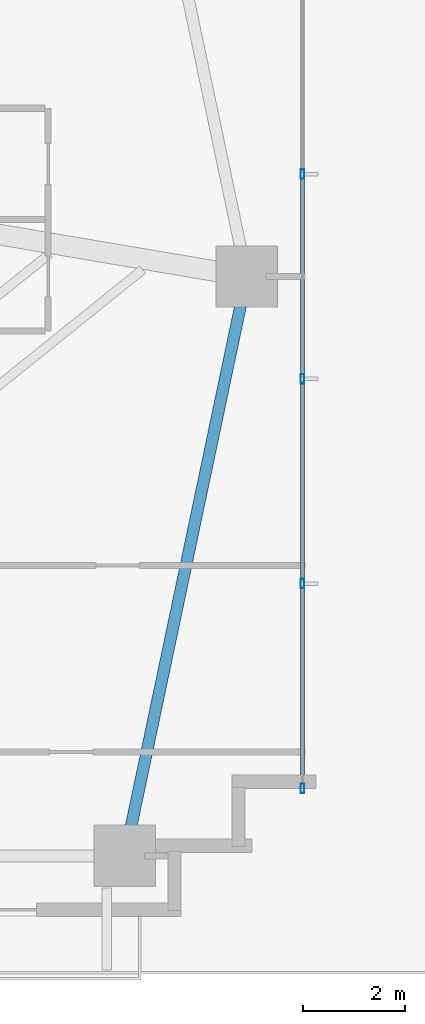
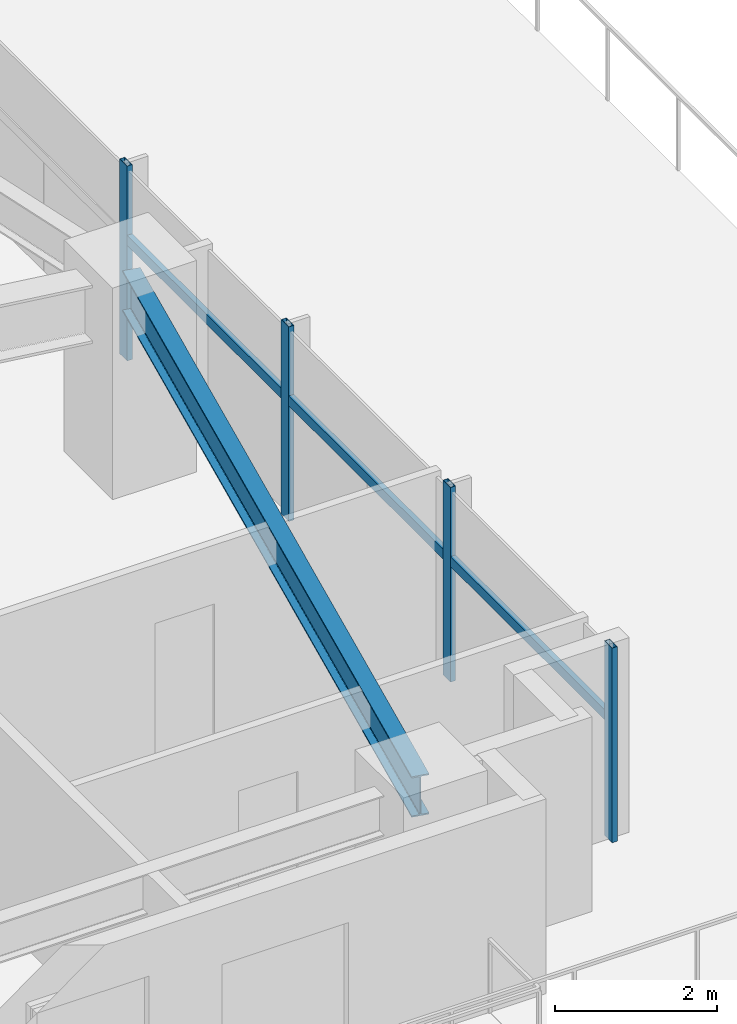
# One storey, part 14 of 26: 7 members, 1 beam, 1 element without a shape of its own.
"""IFC4 building model written with IfcOpenShell, lengths in metres."""

from ifc_helpers import new_model, si_unit, direction, frame, origin, origin_2d, place, context, subcontext, project, spatial, hollow_rectangle, i_section, extrude, source, transform, mapped, material, material_profile, profile_set, type_object, type_shapes, element, aggregate, save


model = new_model("IFC4")

# Units and contexts
model_context = context("Model", 3, precision=1e-05, world=origin(), true_north=direction((0.0, 1.0)))
body_context = subcontext(model_context, "Body", "Model", "MODEL_VIEW")
ifc_project = project(units=[si_unit("LENGTHUNIT", "METRE"), si_unit("AREAUNIT", "SQUARE_METRE"), si_unit("VOLUMEUNIT", "CUBIC_METRE"), si_unit("PLANEANGLEUNIT", "RADIAN"), si_unit("MASSUNIT", "GRAM", prefix="KILO")], contexts=[model_context])

# Site, building, storey
site_placement = place(None, origin())
site = spatial("IfcSite", under=ifc_project, at=site_placement, CompositionType="ELEMENT")
building_placement = place(site_placement, origin())
building = spatial("IfcBuilding", under=site, at=building_placement, Name="Astriad Promenade Condominiums", CompositionType="ELEMENT")
storey_placement = place(building_placement, frame((0.0, 0.0, 23.0)))
storey = spatial("IfcBuildingStorey", under=building, at=storey_placement, Name="L05", CompositionType="ELEMENT", Elevation=23.0)

# Beam
ifc_material_1 = material(Name="Steel ASTM A992 Grade 50", Category="steel")
ifc_material_profile_1 = material_profile(ifc_material_1, i_section(OverallWidth=0.22900390625, OverallDepth=0.612060546875, WebThickness=0.011962890625, FlangeThickness=0.01953125, FilletRadius=0.017822265625, at=origin_2d()), Name="W24X84")
ifc_profile_set_1 = profile_set([ifc_material_profile_1], Name="Steel ASTM A992 Grade 50")
beam_type = type_object("IfcBeamType", Name="STEEL SPANDREL BEAM W24X84", PredefinedType="SPANDREL", material=ifc_profile_set_1)
shared_shape_1 = source(origin(), body_context, "Body", "SweptSolid", [
    extrude(i_section(OverallWidth=0.22900390625, OverallDepth=0.612060546875, WebThickness=0.011962890625, FlangeThickness=0.01953125, FilletRadius=0.017822265625, at=origin_2d()), origin(), (0.0, 0.0, 1.0), 11.487548828125),
])
type_shapes(beam_type, [shared_shape_1])
beam_placement = place(storey_placement, frame((56.208251953125, 3.919189453125, 2.634033203125), z_axis=(0.205748055501, 0.978604995725, 0.0), x_axis=(-0.978604995725, 0.205748055501, 0.0)))
element("IfcBeam", 1, at=beam_placement, inside=storey, type_object=beam_type, Name="Perimeter Spandrel Beam SP-E1-L05", PredefinedType="SPANDREL", context=body_context, shape_type="MappedRepresentation", body=[
    mapped(shared_shape_1, transform((0.0, 0.0, 0.0), scale=1.0)),
])

# Curtain wall, members
ifc_material_2 = material(Name="Anodised aluminium Black Dark Glass Unitised", Category="aluminium")
curtain_wall_type = type_object("IfcCurtainWallType", Name="CW-B1-DARK", PredefinedType="USERDEFINED", material=ifc_material_2)
curtain_wall_placement = place(storey_placement, origin())
curtain_wall = element("IfcCurtainWall", 2, at=curtain_wall_placement, inside=storey, type_object=curtain_wall_type, Name="CW-L05-E", ObjectType="UNITISED_CURTAIN_WALL", PredefinedType="USERDEFINED")
ifc_material_3 = material(Name="Anodised aluminium 6063-T6 Black", Category="aluminium")
ifc_material_profile_2 = material_profile(ifc_material_3, hollow_rectangle(XDim=0.074951171875, YDim=0.18505859375, WallThickness=0.00439453125, at=origin_2d()), Name="ALU-MUL-75X185")
ifc_profile_set_2 = profile_set([ifc_material_profile_2], Name="Anodised aluminium 6063-T6 Black")
member_type_1 = type_object("IfcMemberType", Name="MUL-ALU-MUL-75X185", PredefinedType="MULLION", material=ifc_profile_set_2)
shared_shape_2 = source(origin(), body_context, "Body", "SweptSolid", [
    extrude(hollow_rectangle(XDim=0.074951171875, YDim=0.18505859375, WallThickness=0.00439453125, at=origin_2d()), origin(), (0.0, 0.0, 1.0), 2.93994140625),
])
type_shapes(member_type_1, [shared_shape_2])
member_1_placement = place(storey_placement, frame((59.669921875, 17.199951171875, 0.0), z_axis=(0.0, 0.0, 1.0), x_axis=(1.0, 0.0, 0.0)))
member_1 = element("IfcMember", 3, at=member_1_placement, type_object=member_type_1, Name="CW-L05-E-MUL-02", PredefinedType="MULLION", context=body_context, shape_type="MappedRepresentation", body=[
    mapped(shared_shape_2, transform((0.0, 0.0, 0.0), scale=1.0)),
])
member_2_placement = place(storey_placement, frame((59.669921875, 13.199951171875, 0.0), z_axis=(0.0, 0.0, 1.0), x_axis=(1.0, 0.0, 0.0)))
member_2 = element("IfcMember", 4, at=member_2_placement, type_object=member_type_1, Name="CW-L05-E-MUL-03", PredefinedType="MULLION", context=body_context, shape_type="MappedRepresentation", body=[
    mapped(shared_shape_2, transform((0.0, 0.0, 0.0), scale=1.0)),
])
member_3_placement = place(storey_placement, frame((59.669921875, 9.199951171875, 0.0), z_axis=(0.0, 0.0, 1.0), x_axis=(1.0, 0.0, 0.0)))
member_3 = element("IfcMember", 5, at=member_3_placement, type_object=member_type_1, Name="CW-L05-E-MUL-04", PredefinedType="MULLION", context=body_context, shape_type="MappedRepresentation", body=[
    mapped(shared_shape_2, transform((0.0, 0.0, 0.0), scale=1.0)),
])
member_4_placement = place(storey_placement, frame((59.669921875, 5.199951171875, 0.0), z_axis=(0.0, 0.0, 1.0), x_axis=(1.0, 0.0, 0.0)))
member_4 = element("IfcMember", 6, at=member_4_placement, type_object=member_type_1, Name="CW-L05-E-MUL-05", PredefinedType="MULLION", context=body_context, shape_type="MappedRepresentation", body=[
    mapped(shared_shape_2, transform((0.0, 0.0, 0.0), scale=1.0)),
])
ifc_material_profile_3 = material_profile(ifc_material_3, hollow_rectangle(XDim=0.074951171875, YDim=0.14990234375, WallThickness=0.004150390625, at=origin_2d()), Name="ALU-TRN-75X150")
ifc_profile_set_3 = profile_set([ifc_material_profile_3], Name="Anodised aluminium 6063-T6 Black")
member_type_2 = type_object("IfcMemberType", Name="TRN-ALU-TRN-75X150", PredefinedType="USERDEFINED", material=ifc_profile_set_3)
shared_shape_3 = source(origin(), body_context, "Body", "SweptSolid", [
    extrude(hollow_rectangle(XDim=0.074951171875, YDim=0.14990234375, WallThickness=0.004150390625, at=origin_2d()), origin(), (0.0, 0.0, 1.0), 4.0),
])
type_shapes(member_type_2, [shared_shape_3])
member_5_placement = place(storey_placement, frame((59.669921875, 17.199951171875, 1.82275390625), z_axis=(0.0, -1.0, 0.0), x_axis=(1.0, 0.0, 0.0)))
member_5 = element("IfcMember", 7, at=member_5_placement, type_object=member_type_2, Name="CW-L05-E-TRN-02-0", ObjectType="TRANSOM", PredefinedType="USERDEFINED", context=body_context, shape_type="MappedRepresentation", body=[
    mapped(shared_shape_3, transform((0.0, 0.0, 0.0), scale=1.0)),
])
member_6_placement = place(storey_placement, frame((59.669921875, 13.199951171875, 1.82275390625), z_axis=(0.0, -1.0, 0.0), x_axis=(1.0, 0.0, 0.0)))
member_6 = element("IfcMember", 8, at=member_6_placement, type_object=member_type_2, Name="CW-L05-E-TRN-03-0", ObjectType="TRANSOM", PredefinedType="USERDEFINED", context=body_context, shape_type="MappedRepresentation", body=[
    mapped(shared_shape_3, transform((0.0, 0.0, 0.0), scale=1.0)),
])
member_7_placement = place(storey_placement, frame((59.669921875, 9.199951171875, 1.82275390625), z_axis=(0.0, -1.0, 0.0), x_axis=(1.0, 0.0, 0.0)))
member_7 = element("IfcMember", 9, at=member_7_placement, type_object=member_type_2, Name="CW-L05-E-TRN-04-0", ObjectType="TRANSOM", PredefinedType="USERDEFINED", context=body_context, shape_type="MappedRepresentation", body=[
    mapped(shared_shape_3, transform((0.0, 0.0, 0.0), scale=1.0)),
])
aggregate(curtain_wall, [member_1, member_2, member_3, member_4, member_5, member_6, member_7])

save(model, "model.ifc")
